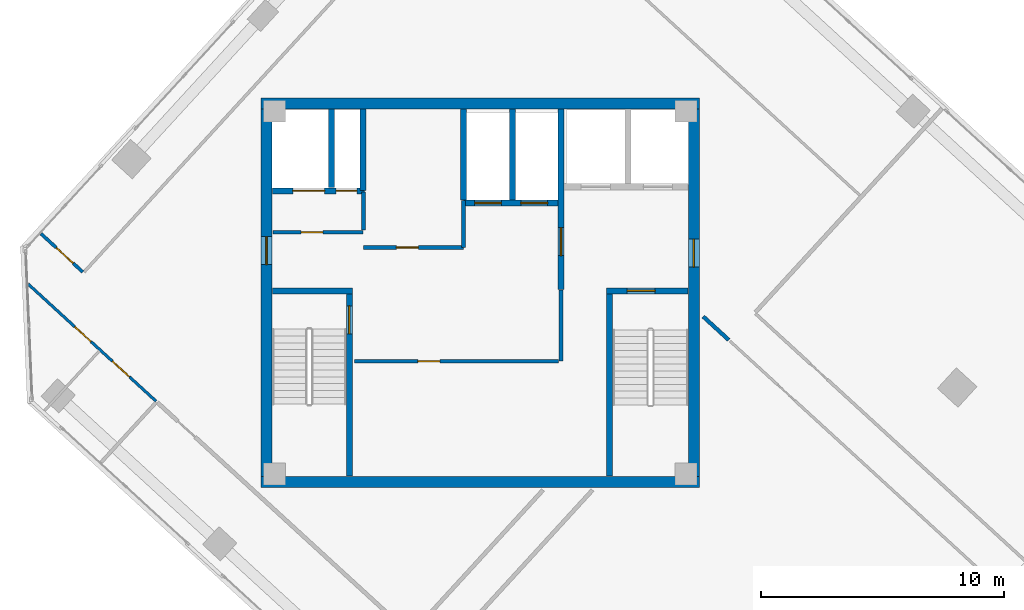
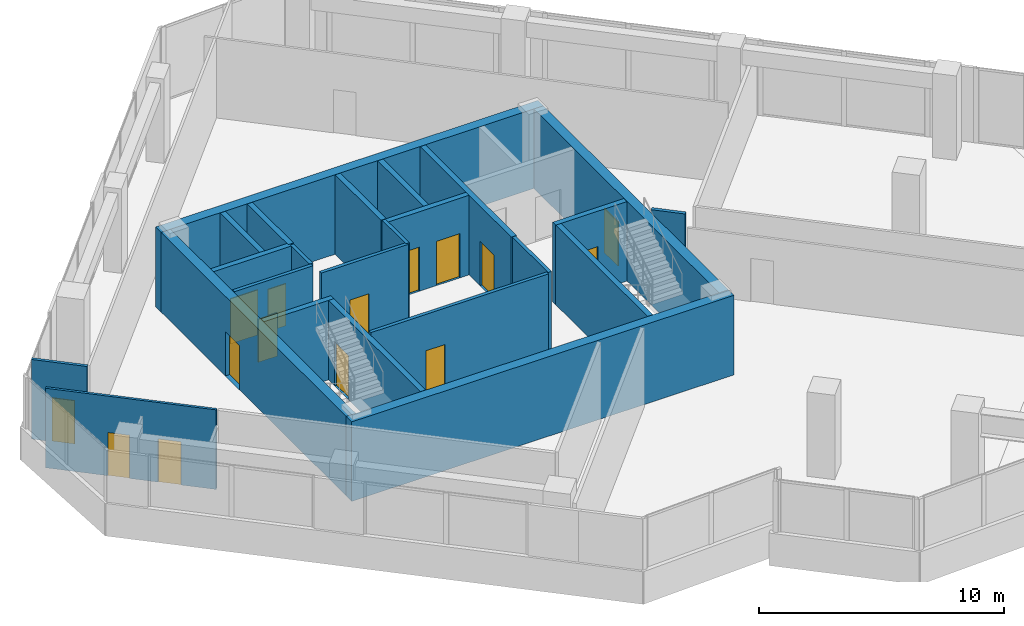
# One storey, part 14 of 18: 24 walls, 15 doors, 15 openings.
"""IFC4 building model written with IfcOpenShell, lengths in metres."""

from ifc_helpers import new_model, si_unit, direction, frame, frame_2d, origin, place, context, subcontext, project, spatial, rectangle, extrude, source, transform, mapped, material, layer, layer_set, type_object, element, fill, save


model = new_model("IFC4")

# Units and contexts
model_context = context("Model", 3, precision=1e-05, world=origin(), true_north=direction((0.0, 1.0)))
body_context = subcontext(model_context, "Body", "Model", "MODEL_VIEW")
ifc_project = project(units=[si_unit("LENGTHUNIT", "METRE"), si_unit("AREAUNIT", "SQUARE_METRE"), si_unit("VOLUMEUNIT", "CUBIC_METRE"), si_unit("PLANEANGLEUNIT", "RADIAN"), si_unit("MASSUNIT", "GRAM", prefix="KILO")], contexts=[model_context])

# Site, building, storey
site_placement = place(None, origin())
site = spatial("IfcSite", under=ifc_project, at=site_placement, CompositionType="ELEMENT")
building_placement = place(site_placement, origin())
building = spatial("IfcBuilding", under=site, at=building_placement, Name="Torre Montelarca", CompositionType="ELEMENT")
storey_placement = place(building_placement, frame((0.0, 0.0, 233.199951171875)))
storey = spatial("IfcBuildingStorey", under=building, at=storey_placement, Name="L52", CompositionType="ELEMENT", Elevation=233.199951171875)

# Wall, opening, door
ifc_material_1 = material(Name="Concrete C40/50", Category="concrete")
ifc_layer_1 = layer(ifc_material_1, 0.25, Name="Concrete C40/50", Category="concrete")
ifc_layer_set_1 = layer_set([ifc_layer_1], Name="Concrete C40/50")
wall_type_1 = type_object("IfcWallType", Name="CW-SHAFT-250", PredefinedType="SHEAR", material=ifc_layer_set_1)
wall_1_placement = place(storey_placement, frame((12.625, 24.4599609375, 0.0), z_axis=(0.0, 0.0, 1.0), x_axis=(0.0, 1.0, 0.0)))
wall_1 = element("IfcWall", 1, at=wall_1_placement, inside=storey, type_object=wall_type_1, Name="L52 Core Shear Wall SH-ST1-E", PredefinedType="SHEAR", context=body_context, shape_type="SweptSolid", body=[
    extrude(rectangle(XDim=7.489990234375, YDim=0.25, at=frame_2d((3.7451171875, 0.0))), origin(), (0.0, 0.0, 1.0), 3.9599609375),
])
opening_1_placement = place(wall_1_placement, frame((5.85009765625, 0.0, 0.0)))
opening_1 = element("IfcOpeningElement", 2, at=opening_1_placement, cuts=wall_1, Name="Opening FD-ST1", PredefinedType="OPENING", context=body_context, shape_type="SweptSolid", body=[
    extrude(rectangle(XDim=1.14990234375, YDim=2.199951171875, at=frame_2d((0.574951171875, 1.10009765625))), frame((0.0, 0.135009765625, 0.0), z_axis=(0.0, -1.0, 0.0), x_axis=(1.0, 0.0, 0.0)), (0.0, 0.0, 1.0), 0.27001953125),
])
ifc_material_2 = material(Name="Galvanized steel fire door", Category="steel")
door_type_1 = type_object("IfcDoorType", Name="DR-STAIR-115", OperationType="NOTDEFINED", PredefinedType="DOOR", material=ifc_material_2)
shared_shape_1 = source(origin(), body_context, "Body", "SweptSolid", [
    extrude(rectangle(XDim=1.14990234375, YDim=2.199951171875, at=frame_2d((0.574951171875, 1.10009765625))), frame((0.0, 0.02490234375, 0.0), z_axis=(0.0, -1.0, 0.0), x_axis=(1.0, 0.0, 0.0)), (0.0, 0.0, 1.0), 0.050048828125),
])
door_1_placement = place(opening_1_placement, origin())
door_1 = element("IfcDoor", 3, at=door_1_placement, inside=storey, type_object=door_type_1, Name="L52 Exit Stair ST1 Fire Door", OperationType="SINGLE_SWING_RIGHT", OverallHeight=2.199951171875, OverallWidth=1.14990234375, PredefinedType="DOOR", context=body_context, shape_type="MappedRepresentation", body=[
    mapped(shared_shape_1, transform((0.0, 0.0, 0.0), scale=1.0)),
])
fill(opening_1, door_1)

# Walls
wall_2_placement = place(storey_placement, frame((9.4599609375, 32.074951171875, 0.0), z_axis=(0.0, 0.0, 1.0), x_axis=(1.0, 0.0, 0.0)))
element("IfcWall", 4, at=wall_2_placement, inside=storey, type_object=wall_type_1, Name="L52 Core Shear Wall SH-ST1-N", PredefinedType="SHEAR", context=body_context, shape_type="SweptSolid", body=[
    extrude(rectangle(XDim=3.2900390625, YDim=0.25, at=frame_2d((1.64501953125, 0.0))), origin(), (0.0, 0.0, 1.0), 3.9599609375),
])
wall_3_placement = place(storey_placement, frame((23.31494140625, 24.4599609375, 0.0), z_axis=(0.0, 0.0, 1.0), x_axis=(0.0, 1.0, 0.0)))
element("IfcWall", 5, at=wall_3_placement, inside=storey, type_object=wall_type_1, Name="L52 Core Shear Wall SH-ST2-W", PredefinedType="SHEAR", context=body_context, shape_type="SweptSolid", body=[
    extrude(rectangle(XDim=7.489990234375, YDim=0.25, at=frame_2d((3.7451171875, 0.0))), origin(), (0.0, 0.0, 1.0), 3.9599609375),
])

# Wall, opening, door
wall_4_placement = place(storey_placement, frame((23.18994140625, 32.074951171875, 0.0), z_axis=(0.0, 0.0, 1.0), x_axis=(1.0, 0.0, 0.0)))
wall_4 = element("IfcWall", 6, at=wall_4_placement, inside=storey, type_object=wall_type_1, Name="L52 Core Shear Wall SH-ST2-N", PredefinedType="SHEAR", context=body_context, shape_type="SweptSolid", body=[
    extrude(rectangle(XDim=3.35009765625, YDim=0.25, at=frame_2d((1.675048828125, 0.0))), origin(), (0.0, 0.0, 1.0), 3.9599609375),
])
opening_2_placement = place(wall_4_placement, frame((0.85009765625, 0.0, 0.0)))
opening_2 = element("IfcOpeningElement", 7, at=opening_2_placement, cuts=wall_4, Name="Opening FD-ST1", PredefinedType="OPENING", context=body_context, shape_type="SweptSolid", body=[
    extrude(rectangle(XDim=1.14990234375, YDim=2.199951171875, at=frame_2d((0.574951171875, 1.10009765625))), frame((0.0, 0.135009765625, 0.0), z_axis=(0.0, -1.0, 0.0), x_axis=(1.0, 0.0, 0.0)), (0.0, 0.0, 1.0), 0.27001953125),
])
door_2_placement = place(opening_2_placement, origin())
door_2 = element("IfcDoor", 8, at=door_2_placement, inside=storey, type_object=door_type_1, Name="L52 Exit Stair ST2 Fire Door", OperationType="SINGLE_SWING_RIGHT", OverallHeight=2.199951171875, OverallWidth=1.14990234375, PredefinedType="DOOR", context=body_context, shape_type="MappedRepresentation", body=[
    mapped(shared_shape_1, transform((0.0, 0.0, 0.0), scale=1.0)),
])
fill(opening_2, door_2)

wall_5_placement = place(storey_placement, frame((21.320068359375, 32.1201171875, 0.0), z_axis=(0.0, 0.0, 1.0), x_axis=(0.0, 1.0, 0.0)))
wall_5 = element("IfcWall", 9, at=wall_5_placement, inside=storey, type_object=wall_type_1, Name="L52 Core Shear Wall SH-FFL-W", PredefinedType="SHEAR", context=body_context, shape_type="SweptSolid", body=[
    extrude(rectangle(XDim=7.419921875, YDim=0.25, at=frame_2d((3.7099609375, 0.0))), origin(), (0.0, 0.0, 1.0), 3.9599609375),
])
opening_3_placement = place(wall_5_placement, frame((1.39990234375, 0.0, 0.0)))
opening_3 = element("IfcOpeningElement", 10, at=opening_3_placement, cuts=wall_5, Name="Opening FD-LB1", PredefinedType="OPENING", context=body_context, shape_type="SweptSolid", body=[
    extrude(rectangle(XDim=1.14990234375, YDim=2.199951171875, at=frame_2d((0.574951171875, 1.10009765625))), frame((0.0, 0.135009765625, 0.0), z_axis=(0.0, -1.0, 0.0), x_axis=(1.0, 0.0, 0.0)), (0.0, 0.0, 1.0), 0.27001953125),
])
ifc_material_3 = material(Name="Acoustic timber-veneered fire door", Category="wood")
door_type_2 = type_object("IfcDoorType", Name="DR-LOBBY-115", OperationType="NOTDEFINED", PredefinedType="DOOR", material=ifc_material_3)
shared_shape_2 = source(origin(), body_context, "Body", "SweptSolid", [
    extrude(rectangle(XDim=1.14990234375, YDim=2.199951171875, at=frame_2d((0.574951171875, 1.10009765625))), frame((0.0, 0.02490234375, 0.0), z_axis=(0.0, -1.0, 0.0), x_axis=(1.0, 0.0, 0.0)), (0.0, 0.0, 1.0), 0.050048828125),
])
door_3_placement = place(opening_3_placement, origin())
door_3 = element("IfcDoor", 11, at=door_3_placement, inside=storey, type_object=door_type_2, Name="L52 Lift Lobby to Firefighting Lobby Smoke Door", OperationType="SINGLE_SWING_LEFT", OverallHeight=2.199951171875, OverallWidth=1.14990234375, PredefinedType="DOOR", context=body_context, shape_type="MappedRepresentation", body=[
    mapped(shared_shape_2, transform((0.0, 0.0, 0.0), scale=1.0)),
])
fill(opening_3, door_3)

# Wall, openings, doors
wall_6_placement = place(storey_placement, frame((9.4599609375, 36.179931640625, 0.0), z_axis=(0.0, 0.0, 1.0), x_axis=(1.0, 0.0, 0.0)))
wall_6 = element("IfcWall", 12, at=wall_6_placement, inside=storey, type_object=wall_type_1, Name="L52 Core Shear Wall SH-SV1-S", PredefinedType="SHEAR", context=body_context, shape_type="SweptSolid", body=[
    extrude(rectangle(XDim=3.7900390625, YDim=0.25, at=frame_2d((1.89501953125, 0.0))), origin(), (0.0, 0.0, 1.0), 3.9599609375),
])
opening_4_placement = place(wall_6_placement, frame((2.6201171875, 0.0, 0.0)))
opening_4 = element("IfcOpeningElement", 13, at=opening_4_placement, cuts=wall_6, Name="Opening FD-085", PredefinedType="OPENING", context=body_context, shape_type="SweptSolid", body=[
    extrude(rectangle(XDim=0.85009765625, YDim=2.10009765625, at=frame_2d((0.425048828125, 1.050048828125))), frame((0.0, 0.135009765625, 0.0), z_axis=(0.0, -1.0, 0.0), x_axis=(1.0, 0.0, 0.0)), (0.0, 0.0, 1.0), 0.27001953125),
])
opening_5_placement = place(wall_6_placement, frame((0.85009765625, 0.0, 0.0)))
opening_5 = element("IfcOpeningElement", 14, at=opening_5_placement, cuts=wall_6, Name="Opening LD-130", PredefinedType="OPENING", context=body_context, shape_type="SweptSolid", body=[
    extrude(rectangle(XDim=1.300048828125, YDim=2.25, at=frame_2d((0.64990234375, 1.125))), frame((0.0, 0.135009765625, 0.0), z_axis=(0.0, -1.0, 0.0), x_axis=(1.0, 0.0, 0.0)), (0.0, 0.0, 1.0), 0.27001953125),
])
ifc_material_4 = material(Name="Steel riser access fire door", Category="steel")
door_type_3 = type_object("IfcDoorType", Name="DR-RISER-085", OperationType="NOTDEFINED", PredefinedType="DOOR", material=ifc_material_4)
shared_shape_3 = source(origin(), body_context, "Body", "SweptSolid", [
    extrude(rectangle(XDim=0.85009765625, YDim=2.10009765625, at=frame_2d((0.425048828125, 1.050048828125))), frame((0.0, 0.02490234375, 0.0), z_axis=(0.0, -1.0, 0.0), x_axis=(1.0, 0.0, 0.0)), (0.0, 0.0, 1.0), 0.050048828125),
])
door_4_placement = place(opening_4_placement, origin())
door_4 = element("IfcDoor", 15, at=door_4_placement, inside=storey, type_object=door_type_3, Name="L52 Electrical Riser Shaft Access Door", OperationType="SINGLE_SWING_RIGHT", OverallHeight=2.10009765625, OverallWidth=0.85009765625, PredefinedType="DOOR", context=body_context, shape_type="MappedRepresentation", body=[
    mapped(shared_shape_3, transform((0.0, 0.0, 0.0), scale=1.0)),
])
fill(opening_4, door_4)
ifc_material_5 = material(Name="Brushed stainless steel AISI 316", Category="steel")
door_type_4 = type_object("IfcDoorType", Name="DR-LIFT-130", OperationType="SLIDING_TO_LEFT", PredefinedType="DOOR", material=ifc_material_5)
shared_shape_4 = source(origin(), body_context, "Body", "SweptSolid", [
    extrude(rectangle(XDim=1.300048828125, YDim=2.25, at=frame_2d((0.64990234375, 1.125))), frame((0.0, 0.02490234375, 0.0), z_axis=(0.0, -1.0, 0.0), x_axis=(1.0, 0.0, 0.0)), (0.0, 0.0, 1.0), 0.050048828125),
])
door_5_placement = place(opening_5_placement, origin())
door_5 = element("IfcDoor", 16, at=door_5_placement, inside=storey, type_object=door_type_4, Name="L52 Lift Landing Sliding Door SV-1", OperationType="SLIDING_TO_LEFT", OverallHeight=2.25, OverallWidth=1.300048828125, PredefinedType="DOOR", context=body_context, shape_type="MappedRepresentation", body=[
    mapped(shared_shape_4, transform((0.0, 0.0, 0.0), scale=1.0)),
])
fill(opening_5, door_5)

# Walls
wall_7_placement = place(storey_placement, frame((11.89990234375, 36.31005859375, 0.0), z_axis=(0.0, 0.0, 1.0), x_axis=(0.0, 1.0, 0.0)))
element("IfcWall", 17, at=wall_7_placement, inside=storey, type_object=wall_type_1, Name="L52 Core Shear Wall SH-SV1-E", PredefinedType="SHEAR", context=body_context, shape_type="SweptSolid", body=[
    extrude(rectangle(XDim=3.22998046875, YDim=0.25, at=frame_2d((1.614990234375, 0.0))), origin(), (0.0, 0.0, 1.0), 3.9599609375),
])
wall_8_placement = place(storey_placement, frame((13.179931640625, 36.199951171875, 0.0), z_axis=(0.0, 0.0, 1.0), x_axis=(0.0, 1.0, 0.0)))
element("IfcWall", 18, at=wall_8_placement, inside=storey, type_object=wall_type_1, Name="L52 Core Shear Wall SH-RSR1-E", PredefinedType="SHEAR", context=body_context, shape_type="SweptSolid", body=[
    extrude(rectangle(XDim=3.340087890625, YDim=0.25, at=frame_2d((1.669921875, 0.0))), origin(), (0.0, 0.0, 1.0), 3.9599609375),
])

# Wall, openings, doors
wall_9_placement = place(storey_placement, frame((17.320068359375, 35.679931640625, 0.0), z_axis=(0.0, 0.0, 1.0), x_axis=(1.0, 0.0, 0.0)))
wall_9 = element("IfcWall", 19, at=wall_9_placement, inside=storey, type_object=wall_type_1, Name="L52 Core Shear Wall SH-PLH-S", PredefinedType="SHEAR", context=body_context, shape_type="SweptSolid", body=[
    extrude(rectangle(XDim=3.869873046875, YDim=0.25, at=frame_2d((1.93505859375, 0.0))), origin(), (0.0, 0.0, 1.0), 3.9599609375),
])
opening_6_placement = place(wall_9_placement, frame((0.449951171875, 0.0, 0.0)))
opening_6 = element("IfcOpeningElement", 20, at=opening_6_placement, cuts=wall_9, Name="Opening LD-110", PredefinedType="OPENING", context=body_context, shape_type="SweptSolid", body=[
    extrude(rectangle(XDim=1.10009765625, YDim=2.199951171875, at=frame_2d((0.550048828125, 1.10009765625))), frame((0.0, 0.135009765625, 0.0), z_axis=(0.0, -1.0, 0.0), x_axis=(1.0, 0.0, 0.0)), (0.0, 0.0, 1.0), 0.27001953125),
])
opening_7_placement = place(wall_9_placement, frame((2.35009765625, 0.0, 0.0)))
opening_7 = element("IfcOpeningElement", 21, at=opening_7_placement, cuts=wall_9, Name="Opening LD-110", PredefinedType="OPENING", context=body_context, shape_type="SweptSolid", body=[
    extrude(rectangle(XDim=1.10009765625, YDim=2.199951171875, at=frame_2d((0.550048828125, 1.10009765625))), frame((0.0, 0.135009765625, 0.0), z_axis=(0.0, -1.0, 0.0), x_axis=(1.0, 0.0, 0.0)), (0.0, 0.0, 1.0), 0.27001953125),
])
door_type_5 = type_object("IfcDoorType", Name="DR-LIFT-110", OperationType="SLIDING_TO_LEFT", PredefinedType="DOOR", material=ifc_material_5)
shared_shape_5 = source(origin(), body_context, "Body", "SweptSolid", [
    extrude(rectangle(XDim=1.10009765625, YDim=2.199951171875, at=frame_2d((0.550048828125, 1.10009765625))), frame((0.0, 0.02490234375, 0.0), z_axis=(0.0, -1.0, 0.0), x_axis=(1.0, 0.0, 0.0)), (0.0, 0.0, 1.0), 0.050048828125),
])
door_6_placement = place(opening_6_placement, origin())
door_6 = element("IfcDoor", 22, at=door_6_placement, inside=storey, type_object=door_type_5, Name="L52 Lift Landing Sliding Door PL-H1", OperationType="SLIDING_TO_LEFT", OverallHeight=2.199951171875, OverallWidth=1.10009765625, PredefinedType="DOOR", context=body_context, shape_type="MappedRepresentation", body=[
    mapped(shared_shape_5, transform((0.0, 0.0, 0.0), scale=1.0)),
])
fill(opening_6, door_6)
door_7_placement = place(opening_7_placement, origin())
door_7 = element("IfcDoor", 23, at=door_7_placement, inside=storey, type_object=door_type_5, Name="L52 Lift Landing Sliding Door PL-H2", OperationType="SLIDING_TO_RIGHT", OverallHeight=2.199951171875, OverallWidth=1.10009765625, PredefinedType="DOOR", context=body_context, shape_type="MappedRepresentation", body=[
    mapped(shared_shape_5, transform((0.0, 0.0, 0.0), scale=1.0)),
])
fill(opening_7, door_7)

# Walls
for number, where, z_axis, x_axis, name in (
    (24, (17.320068359375, 35.81005859375, 0.0), (0.0, 0.0, 1.0), (0.0, 1.0, 0.0), "L52 Core Shear Wall SH-PLH-W"),
    (25, (19.320068359375, 35.81005859375, 0.0), (0.0, 0.0, 1.0), (0.0, 1.0, 0.0), "L52 Core Shear Wall SH-PLH-M"),
):
    element("IfcWall", number, at=place(storey_placement, frame(where, z_axis=z_axis, x_axis=x_axis)), inside=storey, type_object=wall_type_1, Name=name, PredefinedType="SHEAR", context=body_context, shape_type="SweptSolid", body=[
        extrude(rectangle(XDim=3.72998046875, YDim=0.25, at=frame_2d((1.864990234375, 0.0))), origin(), (0.0, 0.0, 1.0), 3.9599609375),
    ])

# Wall, opening, door
ifc_material_6 = material(Name="Concrete C55/67", Category="concrete")
ifc_layer_2 = layer(ifc_material_6, 0.449951171875, Name="Concrete C55/67", Category="concrete")
ifc_layer_set_2 = layer_set([ifc_layer_2], Name="Concrete C55/67")
wall_type_2 = type_object("IfcWallType", Name="CW-SHEAR-450", PredefinedType="SHEAR", material=ifc_layer_set_2)
wall_10_placement = place(storey_placement, frame((9.22509765625, 24.449951171875, 0.0), z_axis=(0.0, 0.0, 1.0), x_axis=(0.0, 1.0, 0.0)))
wall_10 = element("IfcWall", 26, at=wall_10_placement, inside=storey, type_object=wall_type_2, Name="L52 Core Shear Wall CW-W", PredefinedType="SHEAR", context=body_context, shape_type="SweptSolid", body=[
    extrude(rectangle(XDim=15.10009765625, YDim=0.449951171875, at=frame_2d((7.550048828125, 0.0))), origin(), (0.0, 0.0, 1.0), 3.9599609375),
])
opening_8_placement = place(wall_10_placement, frame((8.699951171875, 0.0, 0.0)))
opening_8 = element("IfcOpeningElement", 27, at=opening_8_placement, cuts=wall_10, Name="Opening FD-LB1", PredefinedType="OPENING", context=body_context, shape_type="SweptSolid", body=[
    extrude(rectangle(XDim=1.14990234375, YDim=2.199951171875, at=frame_2d((0.574951171875, 1.10009765625))), frame((0.0, 0.23486328125, 0.0), z_axis=(0.0, -1.0, 0.0), x_axis=(1.0, 0.0, 0.0)), (0.0, 0.0, 1.0), 0.469970703125),
])
door_8_placement = place(opening_8_placement, origin())
door_8 = element("IfcDoor", 28, at=door_8_placement, inside=storey, type_object=door_type_2, Name="L52 Passenger Lift Lobby West Corridor Fire Door", OperationType="SINGLE_SWING_RIGHT", OverallHeight=2.199951171875, OverallWidth=1.14990234375, PredefinedType="DOOR", context=body_context, shape_type="MappedRepresentation", body=[
    mapped(shared_shape_2, transform((0.0, 0.0, 0.0), scale=1.0)),
])
fill(opening_8, door_8)

wall_11_placement = place(storey_placement, frame((26.77490234375, 24.449951171875, 0.0), z_axis=(0.0, 0.0, 1.0), x_axis=(0.0, 1.0, 0.0)))
wall_11 = element("IfcWall", 29, at=wall_11_placement, inside=storey, type_object=wall_type_2, Name="L52 Core Shear Wall CW-E", PredefinedType="SHEAR", context=body_context, shape_type="SweptSolid", body=[
    extrude(rectangle(XDim=15.10009765625, YDim=0.449951171875, at=frame_2d((7.550048828125, 0.0))), origin(), (0.0, 0.0, 1.0), 3.9599609375),
])
opening_9_placement = place(wall_11_placement, frame((8.60009765625, 0.0, 0.0)))
opening_9 = element("IfcOpeningElement", 30, at=opening_9_placement, cuts=wall_11, Name="Opening FD-LB1", PredefinedType="OPENING", context=body_context, shape_type="SweptSolid", body=[
    extrude(rectangle(XDim=1.14990234375, YDim=2.199951171875, at=frame_2d((0.574951171875, 1.10009765625))), frame((0.0, 0.23486328125, 0.0), z_axis=(0.0, -1.0, 0.0), x_axis=(1.0, 0.0, 0.0)), (0.0, 0.0, 1.0), 0.469970703125),
])
door_9_placement = place(opening_9_placement, origin())
door_9 = element("IfcDoor", 31, at=door_9_placement, inside=storey, type_object=door_type_2, Name="L52 Firefighting Lift Lobby Corridor Fire Door", OperationType="SINGLE_SWING_RIGHT", OverallHeight=2.199951171875, OverallWidth=1.14990234375, PredefinedType="DOOR", context=body_context, shape_type="MappedRepresentation", body=[
    mapped(shared_shape_2, transform((0.0, 0.0, 0.0), scale=1.0)),
])
fill(opening_9, door_9)

# Walls
for number, where, z_axis, x_axis, name in (
    (32, (9.0, 24.22509765625, 0.0), (0.0, 0.0, 1.0), (1.0, 0.0, 0.0), "L52 Core Shear Wall CW-S1"),
    (33, (9.0, 39.77490234375, 0.0), (0.0, 0.0, 1.0), (1.0, 0.0, 0.0), "L52 Core Shear Wall CW-N1"),
):
    element("IfcWall", number, at=place(storey_placement, frame(where, z_axis=z_axis, x_axis=x_axis)), inside=storey, type_object=wall_type_2, Name=name, PredefinedType="SHEAR", context=body_context, shape_type="SweptSolid", body=[
        extrude(rectangle(XDim=18.0, YDim=0.449951171875, at=frame_2d((9.0, 0.0))), origin(), (0.0, 0.0, 1.0), 3.9599609375),
    ])

# Wall, opening, door
ifc_material_7 = material(Name="Gypsum plasterboard on steel stud", Category="steel")
ifc_layer_3 = layer(ifc_material_7, 0.159912109375, Name="Gypsum plasterboard on steel stud", Category="steel")
ifc_layer_set_3 = layer_set([ifc_layer_3], Name="Gypsum plasterboard on steel stud")
wall_type_3 = type_object("IfcWallType", Name="PW-FIRE-160", PredefinedType="PARTITIONING", material=ifc_layer_set_3)
wall_12_placement = place(storey_placement, frame((9.489990234375, 34.47998046875, 0.0), z_axis=(0.0, 0.0, 1.0), x_axis=(1.0, 0.0, 0.0)))
wall_12 = element("IfcWall", 34, at=wall_12_placement, inside=storey, type_object=wall_type_3, Name="L52 Interior Partition CW-L52-SVS", PredefinedType="PARTITIONING", context=body_context, shape_type="SweptSolid", body=[
    extrude(rectangle(XDim=3.699951171875, YDim=0.159912109375, at=frame_2d((1.85009765625, 0.0))), origin(), (0.0, 0.0, 1.0), 3.9599609375),
])
opening_10_placement = place(wall_12_placement, frame((1.14990234375, 0.0, 0.0)))
opening_10 = element("IfcOpeningElement", 35, at=opening_10_placement, cuts=wall_12, Name="Opening FD-090", PredefinedType="OPENING", context=body_context, shape_type="SweptSolid", body=[
    extrude(rectangle(XDim=0.89990234375, YDim=2.14990234375, at=frame_2d((0.449951171875, 1.074951171875))), frame((0.0, 0.08984375, 0.0), z_axis=(0.0, -1.0, 0.0), x_axis=(1.0, 0.0, 0.0)), (0.0, 0.0, 1.0), 0.179931640625),
])
ifc_material_8 = material(Name="Steel service fire door", Category="steel")
door_type_6 = type_object("IfcDoorType", Name="DR-FIRE-090", OperationType="NOTDEFINED", PredefinedType="DOOR", material=ifc_material_8)
shared_shape_6 = source(origin(), body_context, "Body", "SweptSolid", [
    extrude(rectangle(XDim=0.89990234375, YDim=2.14990234375, at=frame_2d((0.449951171875, 1.074951171875))), frame((0.0, 0.02490234375, 0.0), z_axis=(0.0, -1.0, 0.0), x_axis=(1.0, 0.0, 0.0)), (0.0, 0.0, 1.0), 0.050048828125),
])
door_10_placement = place(opening_10_placement, origin())
door_10 = element("IfcDoor", 36, at=door_10_placement, inside=storey, type_object=door_type_6, Name="L52 Interior Door 01", OperationType="SINGLE_SWING_RIGHT", OverallHeight=2.14990234375, OverallWidth=0.89990234375, PredefinedType="DOOR", context=body_context, shape_type="MappedRepresentation", body=[
    mapped(shared_shape_6, transform((0.0, 0.0, 0.0), scale=1.0)),
])
fill(opening_10, door_10)

# Wall
wall_13_placement = place(storey_placement, frame((13.199951171875, 34.570068359375, 0.0), z_axis=(0.0, 0.0, 1.0), x_axis=(0.0, 1.0, 0.0)))
element("IfcWall", 37, at=wall_13_placement, inside=storey, type_object=wall_type_3, Name="L52 Interior Partition CW-L52-SVE", PredefinedType="PARTITIONING", context=body_context, shape_type="SweptSolid", body=[
    extrude(rectangle(XDim=1.56982421875, YDim=0.159912109375, at=frame_2d((0.784912109375, 0.0))), origin(), (0.0, 0.0, 1.0), 3.9599609375),
])

# Wall, opening, door
wall_14_placement = place(storey_placement, frame((13.2099609375, 33.85009765625, 0.0), z_axis=(0.0, 0.0, 1.0), x_axis=(1.0, 0.0, 0.0)))
wall_14 = element("IfcWall", 38, at=wall_14_placement, inside=storey, type_object=wall_type_3, Name="L52 Interior Partition CW-L52-FRMS", PredefinedType="PARTITIONING", context=body_context, shape_type="SweptSolid", body=[
    extrude(rectangle(XDim=4.10009765625, YDim=0.159912109375, at=frame_2d((2.050048828125, 0.0))), origin(), (0.0, 0.0, 1.0), 3.9599609375),
])
opening_11_placement = place(wall_14_placement, frame((1.35009765625, 0.0, 0.0)))
opening_11 = element("IfcOpeningElement", 39, at=opening_11_placement, cuts=wall_14, Name="Opening FD-090", PredefinedType="OPENING", context=body_context, shape_type="SweptSolid", body=[
    extrude(rectangle(XDim=0.89990234375, YDim=2.14990234375, at=frame_2d((0.449951171875, 1.074951171875))), frame((0.0, 0.08984375, 0.0), z_axis=(0.0, -1.0, 0.0), x_axis=(1.0, 0.0, 0.0)), (0.0, 0.0, 1.0), 0.179931640625),
])
door_11_placement = place(opening_11_placement, origin())
door_11 = element("IfcDoor", 40, at=door_11_placement, inside=storey, type_object=door_type_6, Name="L52 Interior Door 02", OperationType="SINGLE_SWING_LEFT", OverallHeight=2.14990234375, OverallWidth=0.89990234375, PredefinedType="DOOR", context=body_context, shape_type="MappedRepresentation", body=[
    mapped(shared_shape_6, transform((0.0, 0.0, 0.0), scale=1.0)),
])
fill(opening_11, door_11)

# Wall
wall_15_placement = place(storey_placement, frame((17.320068359375, 33.860107421875, 0.0), z_axis=(0.0, 0.0, 1.0), x_axis=(0.0, 1.0, 0.0)))
element("IfcWall", 41, at=wall_15_placement, inside=storey, type_object=wall_type_3, Name="L52 Interior Partition CW-L52-FRME", PredefinedType="PARTITIONING", context=body_context, shape_type="SweptSolid", body=[
    extrude(rectangle(XDim=1.929931640625, YDim=0.159912109375, at=frame_2d((0.96484375, 0.0))), origin(), (0.0, 0.0, 1.0), 3.9599609375),
])

# Wall, opening, door
wall_16_placement = place(storey_placement, frame((12.840087890625, 29.179931640625, 0.0), z_axis=(0.0, 0.0, 1.0), x_axis=(1.0, 0.0, 0.0)))
wall_16 = element("IfcWall", 42, at=wall_16_placement, inside=storey, type_object=wall_type_3, Name="L52 Interior Partition CW-L52-FRDN", PredefinedType="PARTITIONING", context=body_context, shape_type="SweptSolid", body=[
    extrude(rectangle(XDim=8.369873046875, YDim=0.159912109375, at=frame_2d((4.18505859375, 0.0))), origin(), (0.0, 0.0, 1.0), 3.9599609375),
])
opening_12_placement = place(wall_16_placement, frame((2.60009765625, 0.0, 0.0)))
opening_12 = element("IfcOpeningElement", 43, at=opening_12_placement, cuts=wall_16, Name="Opening FD-090", PredefinedType="OPENING", context=body_context, shape_type="SweptSolid", body=[
    extrude(rectangle(XDim=0.89990234375, YDim=2.14990234375, at=frame_2d((0.449951171875, 1.074951171875))), frame((0.0, 0.08984375, 0.0), z_axis=(0.0, -1.0, 0.0), x_axis=(1.0, 0.0, 0.0)), (0.0, 0.0, 1.0), 0.179931640625),
])
door_12_placement = place(opening_12_placement, origin())
door_12 = element("IfcDoor", 44, at=door_12_placement, inside=storey, type_object=door_type_6, Name="L52 Interior Door 03", OperationType="SINGLE_SWING_LEFT", OverallHeight=2.14990234375, OverallWidth=0.89990234375, PredefinedType="DOOR", context=body_context, shape_type="MappedRepresentation", body=[
    mapped(shared_shape_6, transform((0.0, 0.0, 0.0), scale=1.0)),
])
fill(opening_12, door_12)

# Walls
wall_17_placement = place(storey_placement, frame((21.320068359375, 29.18994140625, 0.0), z_axis=(0.0, 0.0, 1.0), x_axis=(0.0, 1.0, 0.0)))
element("IfcWall", 45, at=wall_17_placement, inside=storey, type_object=wall_type_3, Name="L52 Interior Partition CW-L52-FRE", PredefinedType="PARTITIONING", context=body_context, shape_type="SweptSolid", body=[
    extrude(rectangle(XDim=2.920166015625, YDim=0.159912109375, at=frame_2d((1.4599609375, 0.0))), origin(), (0.0, 0.0, 1.0), 3.9599609375),
])
wall_18_placement = place(storey_placement, frame((27.162841796875, 31.015625, 0.0), z_axis=(0.0, 0.0, 1.0), x_axis=(0.737296869908, -0.675568890361, 0.0)))
element("IfcWall", 46, at=wall_18_placement, inside=storey, type_object=wall_type_3, Name="L52 Interior Partition W-L52-SOCCN3", PredefinedType="PARTITIONING", context=body_context, shape_type="SweptSolid", body=[
    extrude(rectangle(XDim=1.419921875, YDim=0.159912109375, at=frame_2d((0.7099609375, 0.0))), origin(), (0.0, 0.0, 1.0), 3.9599609375),
])

# Wall, openings, doors
ifc_layer_4 = layer(ifc_material_7, 0.114990234375, Name="Gypsum plasterboard on steel stud", Category="steel")
ifc_layer_set_4 = layer_set([ifc_layer_4], Name="Gypsum plasterboard on steel stud")
wall_type_4 = type_object("IfcWallType", Name="PW-PART-115", PredefinedType="PARTITIONING", material=ifc_layer_set_4)
wall_19_placement = place(storey_placement, frame((-0.5712890625, 32.354248046875, 0.0), z_axis=(0.0, 0.0, 1.0), x_axis=(0.737285035525, -0.675581805846, 0.0)))
wall_19 = element("IfcWall", 47, at=wall_19_placement, inside=storey, type_object=wall_type_4, Name="L52 Interior Partition W-L52-WCN", PredefinedType="PARTITIONING", context=body_context, shape_type="SweptSolid", body=[
    extrude(rectangle(XDim=7.1220703125, YDim=0.114990234375, at=frame_2d((3.56103515625, 0.0))), origin(), (0.0, 0.0, 1.0), 3.9599609375),
])
opening_13_placement = place(wall_19_placement, frame((2.60009765625, 0.0, 0.0)))
opening_13 = element("IfcOpeningElement", 48, at=opening_13_placement, cuts=wall_19, Name="Opening ID-090", PredefinedType="OPENING", context=body_context, shape_type="SweptSolid", body=[
    extrude(rectangle(XDim=0.89990234375, YDim=2.14990234375, at=frame_2d((0.449951171875, 1.074951171875))), frame((0.0, 0.0673828125, 0.0), z_axis=(0.0, -1.0, 0.0), x_axis=(1.0, 0.0, 0.0)), (0.0, 0.0, 1.0), 0.135009765625),
])
opening_14_placement = place(wall_19_placement, frame((4.699951171875, 0.0, 0.0)))
opening_14 = element("IfcOpeningElement", 49, at=opening_14_placement, cuts=wall_19, Name="Opening ID-095", PredefinedType="OPENING", context=body_context, shape_type="SweptSolid", body=[
    extrude(rectangle(XDim=0.949951171875, YDim=2.14990234375, at=frame_2d((0.47509765625, 1.074951171875))), frame((0.0, 0.0673828125, 0.0), z_axis=(0.0, -1.0, 0.0), x_axis=(1.0, 0.0, 0.0)), (0.0, 0.0, 1.0), 0.135009765625),
])
ifc_material_9 = material(Name="Hardwood acoustic timber veneer", Category="wood")
door_type_7 = type_object("IfcDoorType", Name="DR-INT-090", OperationType="NOTDEFINED", PredefinedType="DOOR", material=ifc_material_9)
shared_shape_7 = source(origin(), body_context, "Body", "SweptSolid", [
    extrude(rectangle(XDim=0.89990234375, YDim=2.14990234375, at=frame_2d((0.449951171875, 1.074951171875))), frame((0.0, 0.02490234375, 0.0), z_axis=(0.0, -1.0, 0.0), x_axis=(1.0, 0.0, 0.0)), (0.0, 0.0, 1.0), 0.050048828125),
])
door_13_placement = place(opening_13_placement, origin())
door_13 = element("IfcDoor", 50, at=door_13_placement, inside=storey, type_object=door_type_7, Name="L52 Interior Door 04", OperationType="SINGLE_SWING_LEFT", OverallHeight=2.14990234375, OverallWidth=0.89990234375, PredefinedType="DOOR", context=body_context, shape_type="MappedRepresentation", body=[
    mapped(shared_shape_7, transform((0.0, 0.0, 0.0), scale=1.0)),
])
fill(opening_13, door_13)
door_type_8 = type_object("IfcDoorType", Name="DR-INT-095", OperationType="NOTDEFINED", PredefinedType="DOOR", material=ifc_material_9)
shared_shape_8 = source(origin(), body_context, "Body", "SweptSolid", [
    extrude(rectangle(XDim=0.949951171875, YDim=2.14990234375, at=frame_2d((0.47509765625, 1.074951171875))), frame((0.0, 0.02490234375, 0.0), z_axis=(0.0, -1.0, 0.0), x_axis=(1.0, 0.0, 0.0)), (0.0, 0.0, 1.0), 0.050048828125),
])
door_14_placement = place(opening_14_placement, origin())
door_14 = element("IfcDoor", 51, at=door_14_placement, inside=storey, type_object=door_type_8, Name="L52 Interior Door 05", OperationType="SINGLE_SWING_RIGHT", OverallHeight=2.14990234375, OverallWidth=0.949951171875, PredefinedType="DOOR", context=body_context, shape_type="MappedRepresentation", body=[
    mapped(shared_shape_8, transform((0.0, 0.0, 0.0), scale=1.0)),
])
fill(opening_14, door_14)

# Wall, opening, door
ifc_layer_5 = layer(ifc_material_7, 0.135009765625, Name="Gypsum plasterboard on steel stud", Category="steel")
ifc_layer_set_5 = layer_set([ifc_layer_5], Name="Gypsum plasterboard on steel stud")
wall_type_5 = type_object("IfcWallType", Name="PW-PART-135", PredefinedType="PARTITIONING", material=ifc_layer_set_5)
wall_20_placement = place(storey_placement, frame((-0.04443359375, 34.42138671875, 0.0), z_axis=(0.0, 0.0, 1.0), x_axis=(0.73728894688, -0.675577537229, 0.0)))
wall_20 = element("IfcWall", 52, at=wall_20_placement, inside=storey, type_object=wall_type_5, Name="L52 Interior Partition W-L52-WPKS", PredefinedType="PARTITIONING", context=body_context, shape_type="SweptSolid", body=[
    extrude(rectangle(XDim=2.330078125, YDim=0.135009765625, at=frame_2d((1.1650390625, 0.0))), origin(), (0.0, 0.0, 1.0), 3.9599609375),
])
opening_15_placement = place(wall_20_placement, frame((0.85009765625, 0.0, 0.0)))
opening_15 = element("IfcOpeningElement", 53, at=opening_15_placement, cuts=wall_20, Name="Opening ID-095", PredefinedType="OPENING", context=body_context, shape_type="SweptSolid", body=[
    extrude(rectangle(XDim=0.949951171875, YDim=2.14990234375, at=frame_2d((0.47509765625, 1.074951171875))), frame((0.0, 0.07763671875, 0.0), z_axis=(0.0, -1.0, 0.0), x_axis=(1.0, 0.0, 0.0)), (0.0, 0.0, 1.0), 0.155029296875),
])
door_15_placement = place(opening_15_placement, origin())
door_15 = element("IfcDoor", 54, at=door_15_placement, inside=storey, type_object=door_type_8, Name="L52 Interior Door 08", OperationType="SINGLE_SWING_LEFT", OverallHeight=2.14990234375, OverallWidth=0.949951171875, PredefinedType="DOOR", context=body_context, shape_type="MappedRepresentation", body=[
    mapped(shared_shape_8, transform((0.0, 0.0, 0.0), scale=1.0)),
])
fill(opening_15, door_15)

save(model, "model.ifc")
